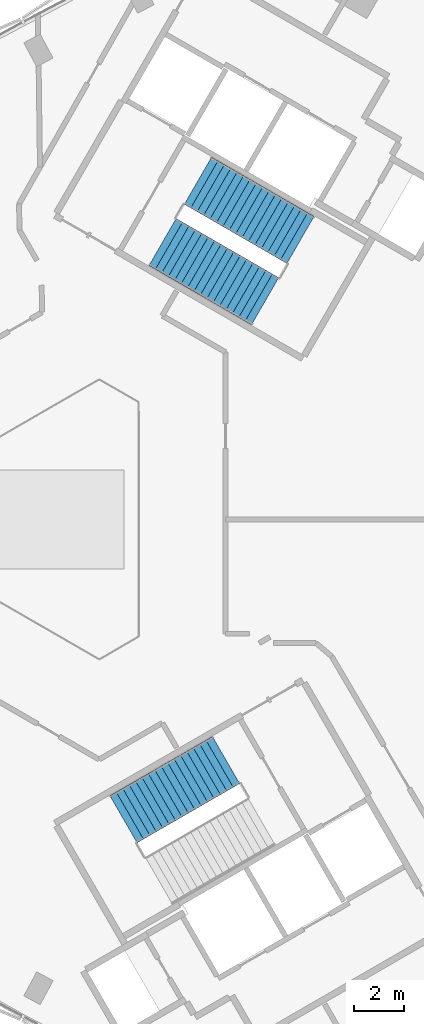
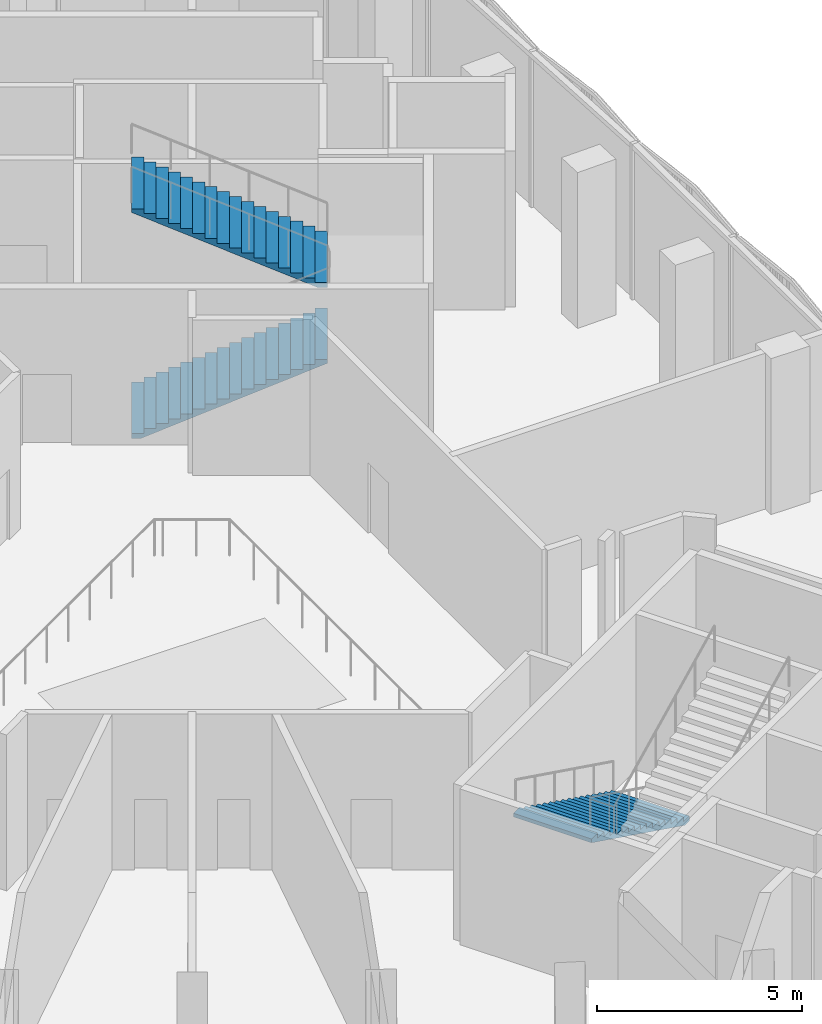
# One storey, part 10 of 15: 3 stair flights, 2 elements without a shape of their own.
"""IFC4 building model written with IfcOpenShell, lengths in metres."""

from ifc_helpers import new_model, si_unit, direction, frame, origin, place, context, subcontext, project, spatial, polyline, outline, extrude, material, type_object, element, aggregate, save


model = new_model("IFC4")

# Units and contexts
model_context = context("Model", 3, precision=1e-05, world=origin(), true_north=direction((0.0, 1.0)))
body_context = subcontext(model_context, "Body", "Model", "MODEL_VIEW")
ifc_project = project(units=[si_unit("LENGTHUNIT", "METRE"), si_unit("AREAUNIT", "SQUARE_METRE"), si_unit("VOLUMEUNIT", "CUBIC_METRE"), si_unit("PLANEANGLEUNIT", "RADIAN"), si_unit("MASSUNIT", "GRAM", prefix="KILO")], contexts=[model_context])

# Site, building, storey
site_placement = place(None, origin())
site = spatial("IfcSite", under=ifc_project, at=site_placement, CompositionType="ELEMENT")
building_placement = place(site_placement, origin())
building = spatial("IfcBuilding", under=site, at=building_placement, Name="Tamra Quay Hotel Tower", CompositionType="ELEMENT")
storey_placement = place(building_placement, frame((0.0, 0.0, 216.39990234375)))
storey = spatial("IfcBuildingStorey", under=building, at=storey_placement, Name="L54", CompositionType="ELEMENT", Elevation=216.39990234375)

# Stair, stair flights
ifc_material_1 = material(Name="Exit stair 2200 34 risers 147.1 going 299")
stair_type = type_object("IfcStairType", Name="Exit stair 2200 34 risers 147.1 going 299", PredefinedType="HALF_TURN_STAIR", material=ifc_material_1)
stair_1_placement = place(storey_placement, origin())
stair_1 = element("IfcStair", 1, at=stair_1_placement, inside=storey, type_object=stair_type, Name="L54 Exit stair ST1", PredefinedType="HALF_TURN_STAIR")
ifc_material_2 = material(Name="Exit stair flight 2200 17 risers 147.1")
stair_flight_type = type_object("IfcStairFlightType", Name="Exit stair flight 2200 17 risers 147.1", PredefinedType="STRAIGHT", material=ifc_material_2)
stair_flight_1_placement = place(storey_placement, frame((4.75927734375, 11.20361328125, 0.0), z_axis=(0.0, 0.0, 1.0), x_axis=(0.866025403784, -0.5, 0.0)))
stair_flight_1 = element("IfcStairFlight", 2, at=stair_flight_1_placement, type_object=stair_flight_type, Name="ST1 flight 1", NumberOfRisers=17, NumberOfTreads=16, PredefinedType="STRAIGHT", RiserHeight=0.147058824, TreadLength=0.299, context=body_context, shape_type="SweptSolid", body=[
    extrude(outline(polyline([(0.0, 0.0), (0.0, 0.14697265625), (0.299072265625, 0.14697265625), (0.299072265625, 0.294189453125), (0.597900390625, 0.294189453125), (0.597900390625, 0.441162109375), (0.89697265625, 0.441162109375), (0.89697265625, 0.588134765625), (1.196044921875, 0.588134765625), (1.196044921875, 0.7353515625), (1.4951171875, 0.7353515625), (1.4951171875, 0.88232421875), (1.7939453125, 0.88232421875), (1.7939453125, 1.029296875), (2.093017578125, 1.029296875), (2.093017578125, 1.176513671875), (2.39208984375, 1.176513671875), (2.39208984375, 1.323486328125), (2.69091796875, 1.323486328125), (2.69091796875, 1.470703125), (2.989990234375, 1.470703125), (2.989990234375, 1.61767578125), (3.2890625, 1.61767578125), (3.2890625, 1.7646484375), (3.587890625, 1.7646484375), (3.587890625, 1.911865234375), (3.886962890625, 1.911865234375), (3.886962890625, 2.058837890625), (4.18603515625, 2.058837890625), (4.18603515625, 2.205810546875), (4.485107421875, 2.205810546875), (4.485107421875, 2.35302734375), (4.783935546875, 2.35302734375), (4.783935546875, 2.5), (4.783935546875, 2.241455078125), (0.226806640625, 0.0), (0.0, 0.0)])), frame((0.0, 1.10009765625, 0.0), z_axis=(0.0, -1.0, 0.0), x_axis=(1.0, 0.0, 0.0)), (0.0, 0.0, 1.0), 2.199951171875),
])
stair_flight_2_placement = place(storey_placement, frame((10.331787109375, 11.28759765625, 2.5), z_axis=(0.0, 0.0, 1.0), x_axis=(-0.866025403784, 0.5, 0.0)))
stair_flight_2 = element("IfcStairFlight", 3, at=stair_flight_2_placement, type_object=stair_flight_type, Name="ST1 flight 2", NumberOfRisers=17, NumberOfTreads=16, PredefinedType="STRAIGHT", RiserHeight=0.147058824, TreadLength=0.299, context=body_context, shape_type="SweptSolid", body=[
    extrude(outline(polyline([(0.0, 0.0), (0.0, 0.14697265625), (0.299072265625, 0.14697265625), (0.299072265625, 0.294189453125), (0.597900390625, 0.294189453125), (0.597900390625, 0.441162109375), (0.89697265625, 0.441162109375), (0.89697265625, 0.588134765625), (1.196044921875, 0.588134765625), (1.196044921875, 0.7353515625), (1.4951171875, 0.7353515625), (1.4951171875, 0.88232421875), (1.7939453125, 0.88232421875), (1.7939453125, 1.029296875), (2.093017578125, 1.029296875), (2.093017578125, 1.176513671875), (2.39208984375, 1.176513671875), (2.39208984375, 1.323486328125), (2.69091796875, 1.323486328125), (2.69091796875, 1.470703125), (2.989990234375, 1.470703125), (2.989990234375, 1.61767578125), (3.2890625, 1.61767578125), (3.2890625, 1.7646484375), (3.587890625, 1.7646484375), (3.587890625, 1.911865234375), (3.886962890625, 1.911865234375), (3.886962890625, 2.058837890625), (4.18603515625, 2.058837890625), (4.18603515625, 2.205810546875), (4.485107421875, 2.205810546875), (4.485107421875, 2.35302734375), (4.783935546875, 2.35302734375), (4.783935546875, 2.5), (4.783935546875, 2.241455078125), (0.226806640625, 0.0), (0.0, 0.0)])), frame((0.0, 1.10009765625, 0.0), z_axis=(0.0, -1.0, 0.0), x_axis=(1.0, 0.0, 0.0)), (0.0, 0.0, 1.0), 2.199951171875),
])
aggregate(stair_1, [stair_flight_1, stair_flight_2])

# Stair, stair flight
stair_2_placement = place(storey_placement, origin())
stair_2 = element("IfcStair", 4, at=stair_2_placement, inside=storey, type_object=stair_type, Name="L54 Exit stair ST2", PredefinedType="HALF_TURN_STAIR")
stair_flight_3_placement = place(storey_placement, frame((7.322998046875, -9.7236328125, 0.0), z_axis=(0.0, 0.0, 1.0), x_axis=(-0.866025403784, -0.5, 0.0)))
stair_flight_3 = element("IfcStairFlight", 5, at=stair_flight_3_placement, type_object=stair_flight_type, Name="ST2 flight 1", NumberOfRisers=17, NumberOfTreads=16, PredefinedType="STRAIGHT", RiserHeight=0.147058824, TreadLength=0.299, context=body_context, shape_type="SweptSolid", body=[
    extrude(outline(polyline([(0.0, 0.0), (0.0, 0.14697265625), (0.299072265625, 0.14697265625), (0.299072265625, 0.294189453125), (0.597900390625, 0.294189453125), (0.597900390625, 0.441162109375), (0.89697265625, 0.441162109375), (0.89697265625, 0.588134765625), (1.196044921875, 0.588134765625), (1.196044921875, 0.7353515625), (1.4951171875, 0.7353515625), (1.4951171875, 0.88232421875), (1.7939453125, 0.88232421875), (1.7939453125, 1.029296875), (2.093017578125, 1.029296875), (2.093017578125, 1.176513671875), (2.39208984375, 1.176513671875), (2.39208984375, 1.323486328125), (2.69091796875, 1.323486328125), (2.69091796875, 1.470703125), (2.989990234375, 1.470703125), (2.989990234375, 1.61767578125), (3.2890625, 1.61767578125), (3.2890625, 1.7646484375), (3.587890625, 1.7646484375), (3.587890625, 1.911865234375), (3.886962890625, 1.911865234375), (3.886962890625, 2.058837890625), (4.18603515625, 2.058837890625), (4.18603515625, 2.205810546875), (4.485107421875, 2.205810546875), (4.485107421875, 2.35302734375), (4.783935546875, 2.35302734375), (4.783935546875, 2.5), (4.783935546875, 2.241455078125), (0.226806640625, 0.0), (0.0, 0.0)])), frame((0.0, 1.10009765625, 0.0), z_axis=(0.0, -1.0, 0.0), x_axis=(1.0, 0.0, 0.0)), (0.0, 0.0, 1.0), 2.199951171875),
])
aggregate(stair_2, [stair_flight_3])

save(model, "model.ifc")
